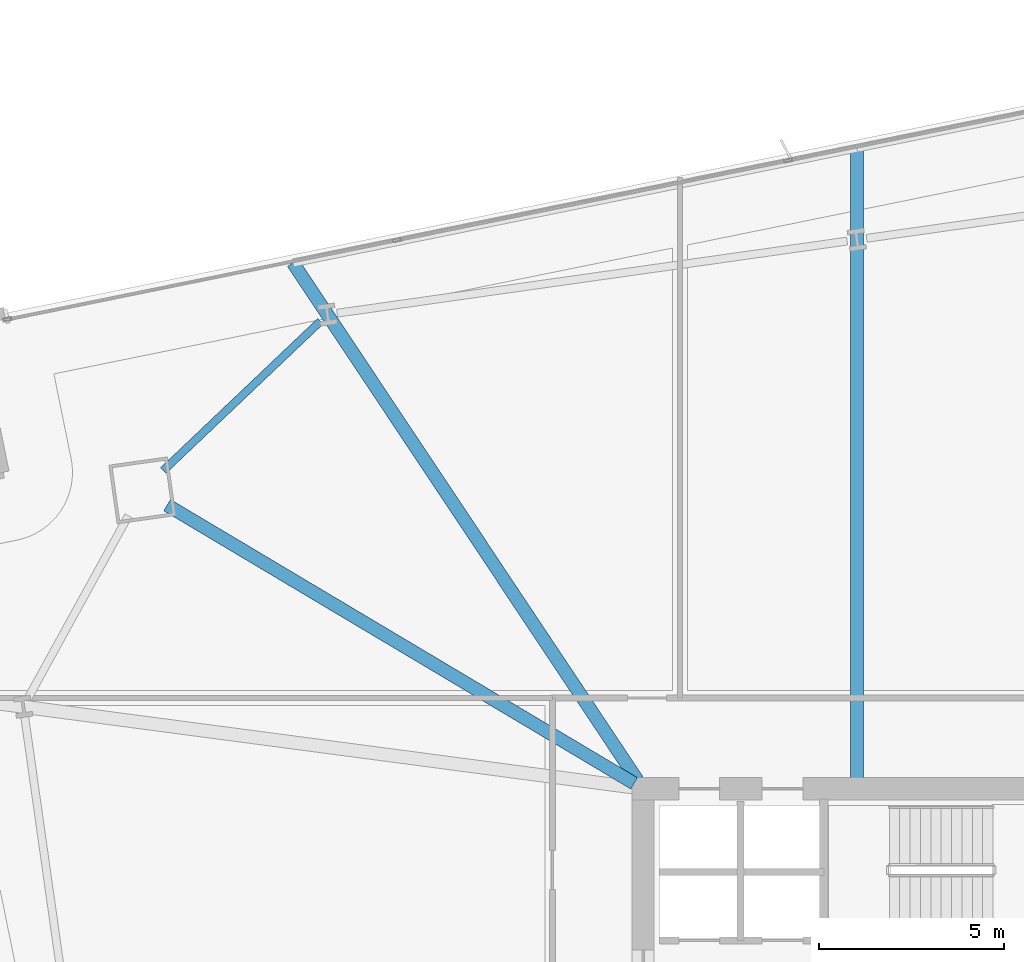
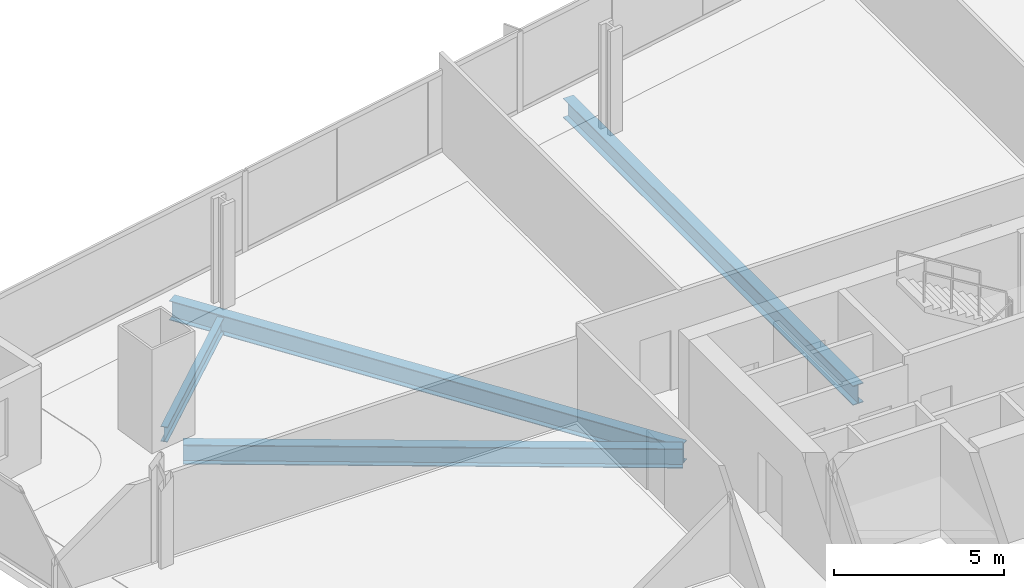
# One storey, part 16 of 33: 4 beams.
"""IFC4 building model written with IfcOpenShell, lengths in metres."""

from ifc_helpers import new_model, si_unit, direction, frame, origin, origin_2d, place, context, subcontext, project, spatial, i_section, extrude, material, material_profile, profile_set, type_object, element, save


model = new_model("IFC4")

# Units and contexts
model_context = context("Model", 3, precision=1e-05, world=origin(), true_north=direction((0.0, 1.0)))
body_context = subcontext(model_context, "Body", "Model", "MODEL_VIEW")
ifc_project = project(units=[si_unit("LENGTHUNIT", "METRE"), si_unit("AREAUNIT", "SQUARE_METRE"), si_unit("VOLUMEUNIT", "CUBIC_METRE"), si_unit("PLANEANGLEUNIT", "RADIAN"), si_unit("MASSUNIT", "GRAM", prefix="KILO")], contexts=[model_context])

# Site, building, storey
site_placement = place(None, origin())
site = spatial("IfcSite", under=ifc_project, at=site_placement, CompositionType="ELEMENT")
building_placement = place(site_placement, origin())
building = spatial("IfcBuilding", under=site, at=building_placement, Name="Haldenkirk Collegiate Tower", CompositionType="ELEMENT")
storey_placement = place(building_placement, frame((0.0, 0.0, 66.449951171875)))
storey = spatial("IfcBuildingStorey", under=building, at=storey_placement, Name="L15", CompositionType="ELEMENT", Elevation=66.449951171875)

# Beams
ifc_material = material(Name="Steel ASTM A992 Grade 50", Category="steel")
ifc_material_profile_1 = material_profile(ifc_material, i_section(OverallWidth=0.35498046875, OverallDepth=0.696044921875, WebThickness=0.015380859375, FlangeThickness=0.02490234375, at=origin_2d()), Name="W27X146")
ifc_profile_set_1 = profile_set([ifc_material_profile_1], Name="Steel ASTM A992 Grade 50")
beam_type_1 = type_object("IfcBeamType", Name="BM-GIRDER-W27X146", PredefinedType="BEAM", material=ifc_profile_set_1)
beam_1_placement = place(storey_placement, frame((14.14990234375, 41.6552734375, -0.657958984375), z_axis=(0.859106056552, -0.511797600225, 0.0), x_axis=(0.511797600225, 0.859106056552, 0.0)))
element("IfcBeam", 1, at=beam_1_placement, inside=storey, type_object=beam_type_1, Name="L15 primary floor girder 04", PredefinedType="BEAM", context=body_context, shape_type="SweptSolid", body=[
    extrude(i_section(OverallWidth=0.35498046875, OverallDepth=0.696044921875, WebThickness=0.015380859375, FlangeThickness=0.02490234375, at=origin_2d()), origin(), (0.0, 0.0, 1.0), 14.677490234375),
])
beam_2_placement = place(storey_placement, frame((32.772216796875, 51.294189453125, -0.657958984375), z_axis=(0.0, -1.0, 0.0), x_axis=(1.0, 0.0, 0.0)))
element("IfcBeam", 2, at=beam_2_placement, inside=storey, type_object=beam_type_1, Name="L15 primary floor girder 12", PredefinedType="BEAM", context=body_context, shape_type="SweptSolid", body=[
    extrude(i_section(OverallWidth=0.35498046875, OverallDepth=0.696044921875, WebThickness=0.015380859375, FlangeThickness=0.02490234375, at=origin_2d()), origin(), (0.0, 0.0, 1.0), 17.01416015625),
])
beam_3_placement = place(storey_placement, frame((17.54931640625, 48.197265625, -0.657958984375), z_axis=(0.554122387579, -0.832435210442, 0.0), x_axis=(0.832435210442, 0.554122387579, 0.0)))
element("IfcBeam", 3, at=beam_3_placement, inside=storey, type_object=beam_type_1, Name="L15 primary floor girder 13", PredefinedType="BEAM", context=body_context, shape_type="SweptSolid", body=[
    extrude(i_section(OverallWidth=0.35498046875, OverallDepth=0.696044921875, WebThickness=0.015380859375, FlangeThickness=0.02490234375, at=origin_2d()), origin(), (0.0, 0.0, 1.0), 16.77490234375),
])
ifc_material_profile_2 = material_profile(ifc_material, i_section(OverallWidth=0.2119140625, OverallDepth=0.5439453125, WebThickness=0.01318359375, FlangeThickness=0.021240234375, at=origin_2d()), Name="W21X83")
ifc_profile_set_2 = profile_set([ifc_material_profile_2], Name="Steel ASTM A992 Grade 50")
beam_type_2 = type_object("IfcBeamType", Name="BM-SPANDREL-W21X83", PredefinedType="SPANDREL", material=ifc_profile_set_2)
beam_4_placement = place(storey_placement, frame((18.28662109375, 46.619140625, -0.58203125), z_axis=(-0.725132817178, -0.688609030911, 0.0), x_axis=(0.688609030911, -0.725132817178, 0.0)))
element("IfcBeam", 4, at=beam_4_placement, inside=storey, type_object=beam_type_2, Name="L15 perimeter spandrel beam 12", PredefinedType="SPANDREL", context=body_context, shape_type="SweptSolid", body=[
    extrude(i_section(OverallWidth=0.2119140625, OverallDepth=0.5439453125, WebThickness=0.01318359375, FlangeThickness=0.021240234375, at=origin_2d()), origin(), (0.0, 0.0, 1.0), 5.848876953125),
])

save(model, "model.ifc")
